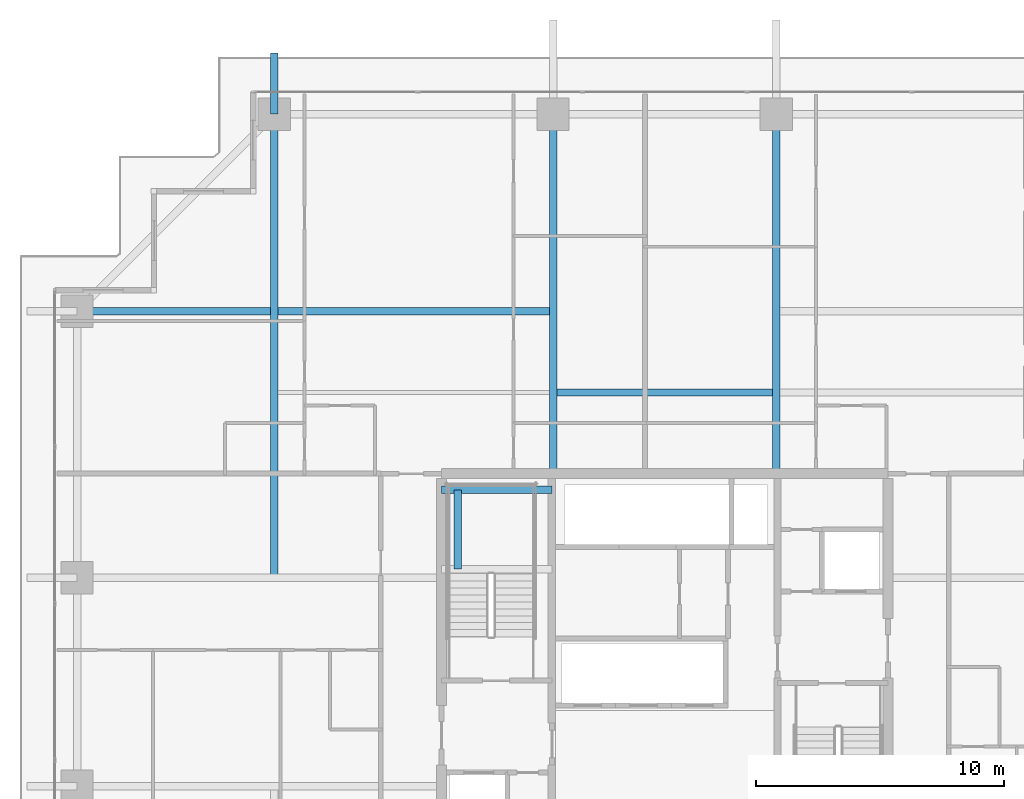
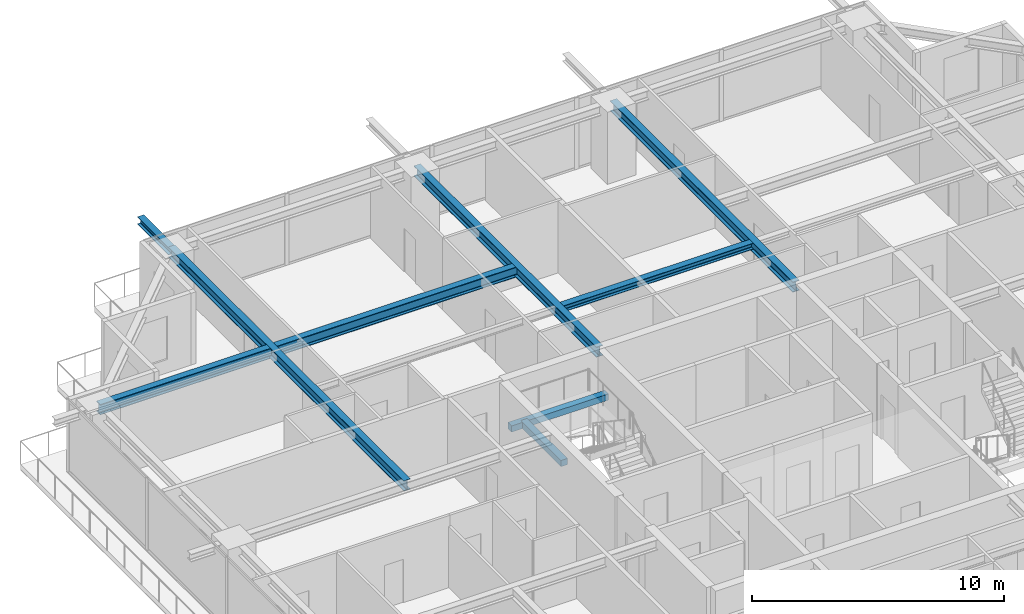
# One storey, part 20 of 37: 8 beams.
"""IFC4 building model written with IfcOpenShell, lengths in metres."""

from ifc_helpers import new_model, si_unit, direction, frame, origin, origin_2d, place, context, subcontext, project, spatial, rectangle, i_section, extrude, source, transform, mapped, material, material_profile, profile_set, type_object, element, save


model = new_model("IFC4")

# Units and contexts
model_context = context("Model", 3, precision=1e-05, world=origin(), true_north=direction((0.0, 1.0)))
body_context = subcontext(model_context, "Body", "Model", "MODEL_VIEW")
ifc_project = project(units=[si_unit("LENGTHUNIT", "METRE"), si_unit("AREAUNIT", "SQUARE_METRE"), si_unit("VOLUMEUNIT", "CUBIC_METRE"), si_unit("PLANEANGLEUNIT", "RADIAN"), si_unit("MASSUNIT", "GRAM", prefix="KILO")], contexts=[model_context])

# Site, building, storey
site_placement = place(None, origin())
site = spatial("IfcSite", under=ifc_project, at=site_placement, CompositionType="ELEMENT")
building_placement = place(site_placement, origin())
building = spatial("IfcBuilding", under=site, at=building_placement, Name="Serunith Strait Residences", CompositionType="ELEMENT")
storey_placement = place(building_placement, frame((0.0, 0.0, 161.39990234375)))
storey = spatial("IfcBuildingStorey", under=building, at=storey_placement, Name="L40", CompositionType="ELEMENT", Elevation=161.39990234375)

# Beams
ifc_material_1 = material(Name="Steel S355J2", Category="steel")
ifc_material_profile_1 = material_profile(ifc_material_1, i_section(OverallWidth=0.300048828125, OverallDepth=0.300048828125, WebThickness=0.010986328125, FlangeThickness=0.01904296875, FilletRadius=0.027099609375, at=origin_2d()), Name="HEB 300")
ifc_profile_set_1 = profile_set([ifc_material_profile_1], Name="Steel S355J2")
beam_type_1 = type_object("IfcBeamType", Name="BM-HEB300", PredefinedType="JOIST", material=ifc_profile_set_1)
shared_shape_1 = source(origin(), body_context, "Body", "SweptSolid", [
    extrude(i_section(OverallWidth=0.300048828125, OverallDepth=0.300048828125, WebThickness=0.010986328125, FlangeThickness=0.01904296875, FilletRadius=0.027099609375, at=origin_2d()), origin(), (0.0, 0.0, 1.0), 8.699951171875),
])
beam_1_placement = place(storey_placement, frame((28.050048828125, 36.875, 3.337158203125), z_axis=(1.0, 0.0, 0.0), x_axis=(0.0, 1.0, 0.0)))
element("IfcBeam", 1, at=beam_1_placement, inside=storey, type_object=beam_type_1, Name="L40 Composite Floor Joist 05", PredefinedType="JOIST", context=body_context, shape_type="MappedRepresentation", body=[
    mapped(shared_shape_1, transform((0.0, 0.0, 0.0), scale=1.0)),
])
ifc_material_profile_2 = material_profile(ifc_material_1, i_section(OverallWidth=0.300048828125, OverallDepth=0.5, WebThickness=0.014404296875, FlangeThickness=0.028076171875, FilletRadius=0.027099609375, at=origin_2d()), Name="HEB 500")
ifc_profile_set_2 = profile_set([ifc_material_profile_2], Name="Steel S355J2")
beam_type_2 = type_object("IfcBeamType", Name="BM-HEB500", PredefinedType="BEAM", material=ifc_profile_set_2)
shared_shape_2 = source(origin(), body_context, "Body", "SweptSolid", [
    extrude(i_section(OverallWidth=0.300048828125, OverallDepth=0.5, WebThickness=0.014404296875, FlangeThickness=0.028076171875, FilletRadius=0.027099609375, at=origin_2d()), origin(), (0.0, 0.0, 1.0), 14.5),
])
for number, where, z_axis, x_axis, name in (
    (2, (27.89990234375, 33.60009765625, 3.237060546875), (0.0, 1.0, 0.0), (-1.0, 0.0, 0.0), "L40 Primary Floor Girder TC-N2"),
    (3, (36.89990234375, 33.60009765625, 3.237060546875), (0.0, 1.0, 0.0), (-1.0, 0.0, 0.0), "L40 Primary Floor Girder TC-N3"),
):
    element("IfcBeam", number, at=place(storey_placement, frame(where, z_axis=z_axis, x_axis=x_axis)), inside=storey, type_object=beam_type_2, Name=name, PredefinedType="BEAM", context=body_context, shape_type="MappedRepresentation", body=[
        mapped(shared_shape_2, transform((0.0, 0.0, 0.0), scale=1.0)),
    ])
shared_shape_3 = source(origin(), body_context, "Body", "SweptSolid", [
    extrude(i_section(OverallWidth=0.300048828125, OverallDepth=0.5, WebThickness=0.014404296875, FlangeThickness=0.028076171875, FilletRadius=0.027099609375, at=origin_2d()), origin(), (0.0, 0.0, 1.0), 18.7001953125),
])
beam_2_placement = place(storey_placement, frame((16.64990234375, 29.39990234375, 3.237060546875), z_axis=(0.0, 1.0, 0.0), x_axis=(-1.0, 0.0, 0.0)))
element("IfcBeam", 4, at=beam_2_placement, inside=storey, type_object=beam_type_2, Name="L40 Orthogonal Corner Girder TC-N1", PredefinedType="BEAM", context=body_context, shape_type="MappedRepresentation", body=[
    mapped(shared_shape_3, transform((0.0, 0.0, 0.0), scale=1.0)),
])
shared_shape_4 = source(origin(), body_context, "Body", "SweptSolid", [
    extrude(i_section(OverallWidth=0.300048828125, OverallDepth=0.5, WebThickness=0.014404296875, FlangeThickness=0.028076171875, FilletRadius=0.027099609375, at=origin_2d()), origin(), (0.0, 0.0, 1.0), 19.199951171875),
])
beam_3_placement = place(storey_placement, frame((27.89990234375, 40.14990234375, 3.237060546875), z_axis=(-1.0, 0.0, 0.0), x_axis=(0.0, -1.0, 0.0)))
element("IfcBeam", 5, at=beam_3_placement, inside=storey, type_object=beam_type_2, Name="L40 Orthogonal Corner Girder TC-W4", PredefinedType="BEAM", context=body_context, shape_type="MappedRepresentation", body=[
    mapped(shared_shape_4, transform((0.0, 0.0, 0.0), scale=1.0)),
])
ifc_material_profile_3 = material_profile(ifc_material_1, i_section(OverallWidth=0.300048828125, OverallDepth=0.360107421875, WebThickness=0.012451171875, FlangeThickness=0.0224609375, FilletRadius=0.027099609375, at=origin_2d()), Name="HEB 360")
ifc_profile_set_3 = profile_set([ifc_material_profile_3], Name="Steel S355J2")
beam_type_3 = type_object("IfcBeamType", Name="BM-HEB360", PredefinedType="BEAM", material=ifc_profile_set_3)
shared_shape_5 = source(origin(), body_context, "Body", "SweptSolid", [
    extrude(i_section(OverallWidth=0.300048828125, OverallDepth=0.360107421875, WebThickness=0.012451171875, FlangeThickness=0.0224609375, FilletRadius=0.027099609375, at=origin_2d()), origin(), (0.0, 0.0, 1.0), 2.461669921875),
])
beam_4_placement = place(storey_placement, frame((16.64990234375, 48.10009765625, 3.277099609375), z_axis=(0.0, 1.0, 0.0), x_axis=(-1.0, 0.0, 0.0)))
element("IfcBeam", 6, at=beam_4_placement, inside=storey, type_object=beam_type_3, Name="L41 Cantilevered Balcony Rib TC-N1", PredefinedType="BEAM", context=body_context, shape_type="MappedRepresentation", body=[
    mapped(shared_shape_5, transform((0.0, 0.0, 0.0), scale=1.0)),
])
ifc_material_2 = material(Name="Concrete C60/75", Category="concrete")
ifc_material_profile_4 = material_profile(ifc_material_2, rectangle(XDim=0.300048828125, YDim=0.300048828125, at=origin_2d()), Name="RC 300x300")
ifc_profile_set_4 = profile_set([ifc_material_profile_4], Name="Concrete C60/75")
beam_type_4 = type_object("IfcBeamType", Name="BM-LAND-300x300", PredefinedType="BEAM", material=ifc_profile_set_4)
shared_shape_6 = source(origin(), body_context, "Body", "SweptSolid", [
    extrude(rectangle(XDim=0.300048828125, YDim=0.300048828125, at=origin_2d()), origin(), (0.0, 0.0, 1.0), 4.4501953125),
])
beam_5_placement = place(storey_placement, frame((23.39990234375, 32.949951171875, 1.525146484375), z_axis=(1.0, 0.0, 0.0), x_axis=(0.0, 1.0, 0.0)))
element("IfcBeam", 7, at=beam_5_placement, inside=storey, type_object=beam_type_4, Name="L40 ST-1 Landing Support Beam 2", PredefinedType="BEAM", context=body_context, shape_type="MappedRepresentation", body=[
    mapped(shared_shape_6, transform((0.0, 0.0, 0.0), scale=1.0)),
])
shared_shape_7 = source(origin(), body_context, "Body", "SweptSolid", [
    extrude(rectangle(XDim=0.300048828125, YDim=0.300048828125, at=origin_2d()), origin(), (0.0, 0.0, 1.0), 3.199951171875),
])
beam_6_placement = place(storey_placement, frame((24.050048828125, 29.75, 1.525146484375), z_axis=(0.0, 1.0, 0.0), x_axis=(-1.0, 0.0, 0.0)))
element("IfcBeam", 8, at=beam_6_placement, inside=storey, type_object=beam_type_4, Name="L40 ST-1 Landing Transverse Tie Beam", PredefinedType="BEAM", context=body_context, shape_type="MappedRepresentation", body=[
    mapped(shared_shape_7, transform((0.0, 0.0, 0.0), scale=1.0)),
])

save(model, "model.ifc")
